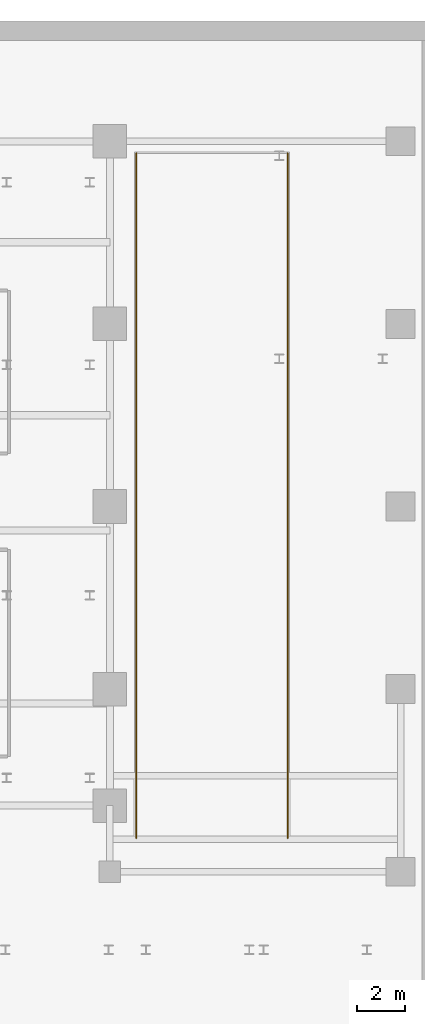
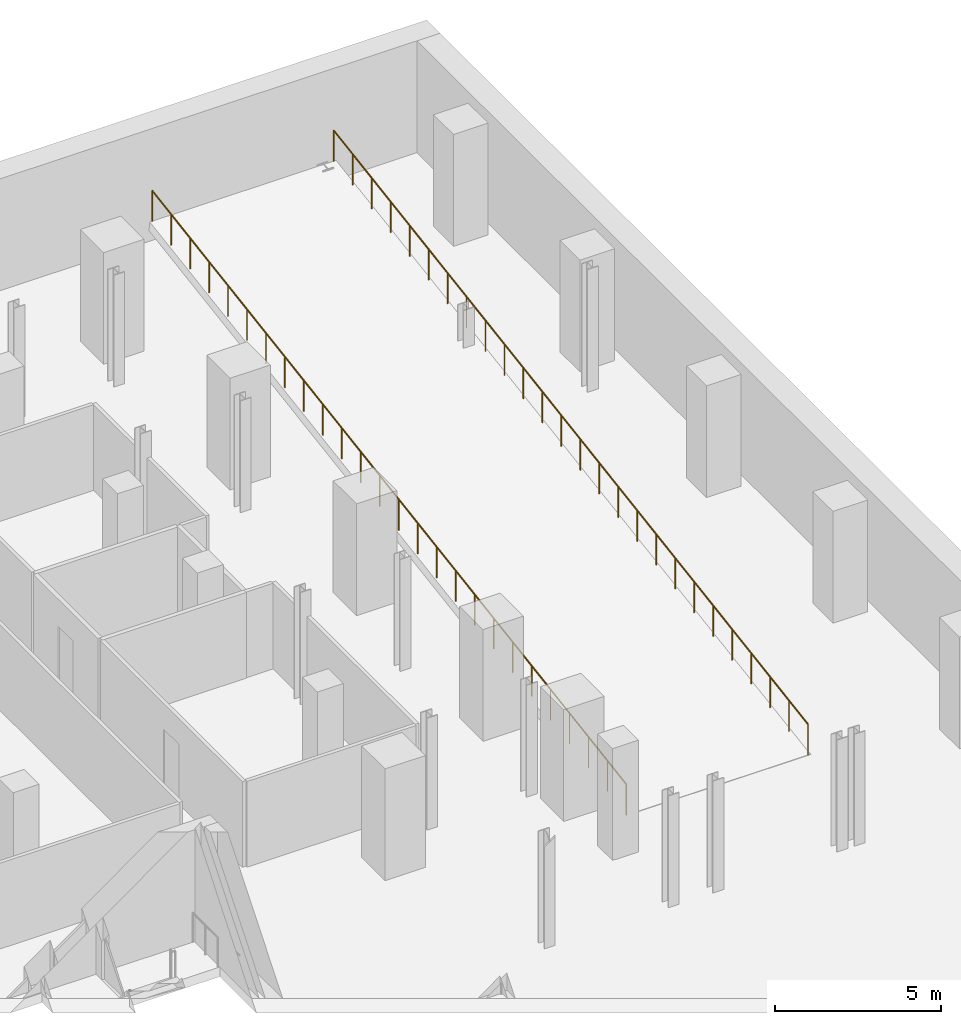
# One storey, part 17 of 18: 2 railings.
"""IFC4 building model written with IfcOpenShell, lengths in metres."""

from ifc_helpers import new_model, si_unit, direction, frame, origin, origin_2d, place, context, subcontext, project, spatial, circle, extrude, material, layer, layer_set, type_object, element, save


model = new_model("IFC4")

# Units and contexts
model_context = context("Model", 3, precision=1e-05, world=origin(), true_north=direction((0.0, 1.0)))
body_context = subcontext(model_context, "Body", "Model", "MODEL_VIEW")
ifc_project = project(units=[si_unit("LENGTHUNIT", "METRE"), si_unit("AREAUNIT", "SQUARE_METRE"), si_unit("VOLUMEUNIT", "CUBIC_METRE"), si_unit("PLANEANGLEUNIT", "RADIAN"), si_unit("MASSUNIT", "GRAM", prefix="KILO")], contexts=[model_context])

# Site, building, storey
site_placement = place(None, origin())
site = spatial("IfcSite", under=ifc_project, at=site_placement, CompositionType="ELEMENT")
building_placement = place(site_placement, origin())
building = spatial("IfcBuilding", under=site, at=building_placement, Name="Ndaravel Arena Tower", CompositionType="ELEMENT")
storey_placement = place(building_placement, frame((0.0, 0.0, -4.5)))
storey = spatial("IfcBuildingStorey", under=building, at=storey_placement, Name="B01", CompositionType="ELEMENT", Elevation=-4.5)

# Railings
ifc_material = material(Name="Glazing", Category="glass")
ifc_layer = layer(ifc_material, 0.070068359375)
ifc_layer_set = layer_set([ifc_layer], Name="Glazing")
railing_type = type_object("IfcRailingType", Name="RAIL-TERRACE-1150", PredefinedType="BALUSTRADE", material=ifc_layer_set)
railing_1_placement = place(storey_placement, frame((71.300048828125, 14.0, 0.0)))
element("IfcRailing", 1, at=railing_1_placement, inside=storey, type_object=railing_type, Name="B01 Truck Ramp R2 West Guard", PredefinedType="BALUSTRADE", context=body_context, shape_type="SweptSolid", body=[
    extrude(circle(Radius=0.02392578125, at=origin_2d()), frame((0.0, 0.0, 1.1259765625), z_axis=(0.0, 0.987762965329, 0.155962573473), x_axis=(-1.0, 0.0, 0.0)), (0.0, 0.0, 1.0), 28.85302734375),
    extrude(circle(Radius=0.02099609375, at=origin_2d()), origin(), (0.0, 0.0, 1.0), 1.101806640625),
    extrude(circle(Radius=0.02099609375, at=origin_2d()), frame((0.0, 1.139892578125, 0.179931640625)), (0.0, 0.0, 1.0), 1.101806640625),
    extrude(circle(Radius=0.02099609375, at=origin_2d()), frame((0.0, 2.280029296875, 0.360107421875)), (0.0, 0.0, 1.0), 1.101806640625),
    extrude(circle(Radius=0.02099609375, at=origin_2d()), frame((0.0, 3.419921875, 0.5400390625)), (0.0, 0.0, 1.0), 1.101806640625),
    extrude(circle(Radius=0.02099609375, at=origin_2d()), frame((0.0, 4.56005859375, 0.719970703125)), (0.0, 0.0, 1.0), 1.101806640625),
    extrude(circle(Radius=0.02099609375, at=origin_2d()), frame((0.0, 5.699951171875, 0.89990234375)), (0.0, 0.0, 1.0), 1.101806640625),
    extrude(circle(Radius=0.02099609375, at=origin_2d()), frame((0.0, 6.840087890625, 1.080078125)), (0.0, 0.0, 1.0), 1.101806640625),
    extrude(circle(Radius=0.02099609375, at=origin_2d()), frame((0.0, 7.97998046875, 1.260009765625)), (0.0, 0.0, 1.0), 1.101806640625),
    extrude(circle(Radius=0.02099609375, at=origin_2d()), frame((0.0, 9.1201171875, 1.43994140625)), (0.0, 0.0, 1.0), 1.101806640625),
    extrude(circle(Radius=0.02099609375, at=origin_2d()), frame((0.0, 10.260009765625, 1.6201171875)), (0.0, 0.0, 1.0), 1.101806640625),
    extrude(circle(Radius=0.02099609375, at=origin_2d()), frame((0.0, 11.39990234375, 1.800048828125)), (0.0, 0.0, 1.0), 1.101806640625),
    extrude(circle(Radius=0.02099609375, at=origin_2d()), frame((0.0, 12.5400390625, 1.97998046875)), (0.0, 0.0, 1.0), 1.101806640625),
    extrude(circle(Radius=0.02099609375, at=origin_2d()), frame((0.0, 13.679931640625, 2.159912109375)), (0.0, 0.0, 1.0), 1.101806640625),
    extrude(circle(Radius=0.02099609375, at=origin_2d()), frame((0.0, 14.820068359375, 2.340087890625)), (0.0, 0.0, 1.0), 1.101806640625),
    extrude(circle(Radius=0.02099609375, at=origin_2d()), frame((0.0, 15.9599609375, 2.52001953125)), (0.0, 0.0, 1.0), 1.101806640625),
    extrude(circle(Radius=0.02099609375, at=origin_2d()), frame((0.0, 17.10009765625, 2.699951171875)), (0.0, 0.0, 1.0), 1.101806640625),
    extrude(circle(Radius=0.02099609375, at=origin_2d()), frame((0.0, 18.239990234375, 2.8798828125)), (0.0, 0.0, 1.0), 1.101806640625),
    extrude(circle(Radius=0.02099609375, at=origin_2d()), frame((0.0, 19.3798828125, 3.06005859375)), (0.0, 0.0, 1.0), 1.101806640625),
    extrude(circle(Radius=0.02099609375, at=origin_2d()), frame((0.0, 20.52001953125, 3.239990234375)), (0.0, 0.0, 1.0), 1.101806640625),
    extrude(circle(Radius=0.02099609375, at=origin_2d()), frame((0.0, 21.659912109375, 3.419921875)), (0.0, 0.0, 1.0), 1.101806640625),
    extrude(circle(Radius=0.02099609375, at=origin_2d()), frame((0.0, 22.800048828125, 3.60009765625)), (0.0, 0.0, 1.0), 1.101806640625),
    extrude(circle(Radius=0.02099609375, at=origin_2d()), frame((0.0, 23.93994140625, 3.780029296875)), (0.0, 0.0, 1.0), 1.101806640625),
    extrude(circle(Radius=0.02099609375, at=origin_2d()), frame((0.0, 25.080078125, 3.9599609375)), (0.0, 0.0, 1.0), 1.101806640625),
    extrude(circle(Radius=0.02099609375, at=origin_2d()), frame((0.0, 26.219970703125, 4.139892578125)), (0.0, 0.0, 1.0), 1.101806640625),
    extrude(circle(Radius=0.02099609375, at=origin_2d()), frame((0.0, 27.360107421875, 4.320068359375)), (0.0, 0.0, 1.0), 1.101806640625),
    extrude(circle(Radius=0.02099609375, at=origin_2d()), frame((0.0, 28.5, 4.5)), (0.0, 0.0, 1.0), 1.101806640625),
])
railing_2_placement = place(storey_placement, frame((77.60009765625, 14.0, 0.0)))
element("IfcRailing", 2, at=railing_2_placement, inside=storey, type_object=railing_type, Name="B01 Truck Ramp R2 East Guard", PredefinedType="BALUSTRADE", context=body_context, shape_type="SweptSolid", body=[
    extrude(circle(Radius=0.02392578125, at=origin_2d()), frame((0.0, 0.0, 1.1259765625), z_axis=(0.0, 0.987762965329, 0.155962573473), x_axis=(-1.0, 0.0, 0.0)), (0.0, 0.0, 1.0), 28.85302734375),
    extrude(circle(Radius=0.02099609375, at=origin_2d()), origin(), (0.0, 0.0, 1.0), 1.101806640625),
    extrude(circle(Radius=0.02099609375, at=origin_2d()), frame((0.0, 1.139892578125, 0.179931640625)), (0.0, 0.0, 1.0), 1.101806640625),
    extrude(circle(Radius=0.02099609375, at=origin_2d()), frame((0.0, 2.280029296875, 0.360107421875)), (0.0, 0.0, 1.0), 1.101806640625),
    extrude(circle(Radius=0.02099609375, at=origin_2d()), frame((0.0, 3.419921875, 0.5400390625)), (0.0, 0.0, 1.0), 1.101806640625),
    extrude(circle(Radius=0.02099609375, at=origin_2d()), frame((0.0, 4.56005859375, 0.719970703125)), (0.0, 0.0, 1.0), 1.101806640625),
    extrude(circle(Radius=0.02099609375, at=origin_2d()), frame((0.0, 5.699951171875, 0.89990234375)), (0.0, 0.0, 1.0), 1.101806640625),
    extrude(circle(Radius=0.02099609375, at=origin_2d()), frame((0.0, 6.840087890625, 1.080078125)), (0.0, 0.0, 1.0), 1.101806640625),
    extrude(circle(Radius=0.02099609375, at=origin_2d()), frame((0.0, 7.97998046875, 1.260009765625)), (0.0, 0.0, 1.0), 1.101806640625),
    extrude(circle(Radius=0.02099609375, at=origin_2d()), frame((0.0, 9.1201171875, 1.43994140625)), (0.0, 0.0, 1.0), 1.101806640625),
    extrude(circle(Radius=0.02099609375, at=origin_2d()), frame((0.0, 10.260009765625, 1.6201171875)), (0.0, 0.0, 1.0), 1.101806640625),
    extrude(circle(Radius=0.02099609375, at=origin_2d()), frame((0.0, 11.39990234375, 1.800048828125)), (0.0, 0.0, 1.0), 1.101806640625),
    extrude(circle(Radius=0.02099609375, at=origin_2d()), frame((0.0, 12.5400390625, 1.97998046875)), (0.0, 0.0, 1.0), 1.101806640625),
    extrude(circle(Radius=0.02099609375, at=origin_2d()), frame((0.0, 13.679931640625, 2.159912109375)), (0.0, 0.0, 1.0), 1.101806640625),
    extrude(circle(Radius=0.02099609375, at=origin_2d()), frame((0.0, 14.820068359375, 2.340087890625)), (0.0, 0.0, 1.0), 1.101806640625),
    extrude(circle(Radius=0.02099609375, at=origin_2d()), frame((0.0, 15.9599609375, 2.52001953125)), (0.0, 0.0, 1.0), 1.101806640625),
    extrude(circle(Radius=0.02099609375, at=origin_2d()), frame((0.0, 17.10009765625, 2.699951171875)), (0.0, 0.0, 1.0), 1.101806640625),
    extrude(circle(Radius=0.02099609375, at=origin_2d()), frame((0.0, 18.239990234375, 2.8798828125)), (0.0, 0.0, 1.0), 1.101806640625),
    extrude(circle(Radius=0.02099609375, at=origin_2d()), frame((0.0, 19.3798828125, 3.06005859375)), (0.0, 0.0, 1.0), 1.101806640625),
    extrude(circle(Radius=0.02099609375, at=origin_2d()), frame((0.0, 20.52001953125, 3.239990234375)), (0.0, 0.0, 1.0), 1.101806640625),
    extrude(circle(Radius=0.02099609375, at=origin_2d()), frame((0.0, 21.659912109375, 3.419921875)), (0.0, 0.0, 1.0), 1.101806640625),
    extrude(circle(Radius=0.02099609375, at=origin_2d()), frame((0.0, 22.800048828125, 3.60009765625)), (0.0, 0.0, 1.0), 1.101806640625),
    extrude(circle(Radius=0.02099609375, at=origin_2d()), frame((0.0, 23.93994140625, 3.780029296875)), (0.0, 0.0, 1.0), 1.101806640625),
    extrude(circle(Radius=0.02099609375, at=origin_2d()), frame((0.0, 25.080078125, 3.9599609375)), (0.0, 0.0, 1.0), 1.101806640625),
    extrude(circle(Radius=0.02099609375, at=origin_2d()), frame((0.0, 26.219970703125, 4.139892578125)), (0.0, 0.0, 1.0), 1.101806640625),
    extrude(circle(Radius=0.02099609375, at=origin_2d()), frame((0.0, 27.360107421875, 4.320068359375)), (0.0, 0.0, 1.0), 1.101806640625),
    extrude(circle(Radius=0.02099609375, at=origin_2d()), frame((0.0, 28.5, 4.5)), (0.0, 0.0, 1.0), 1.101806640625),
])

save(model, "model.ifc")
